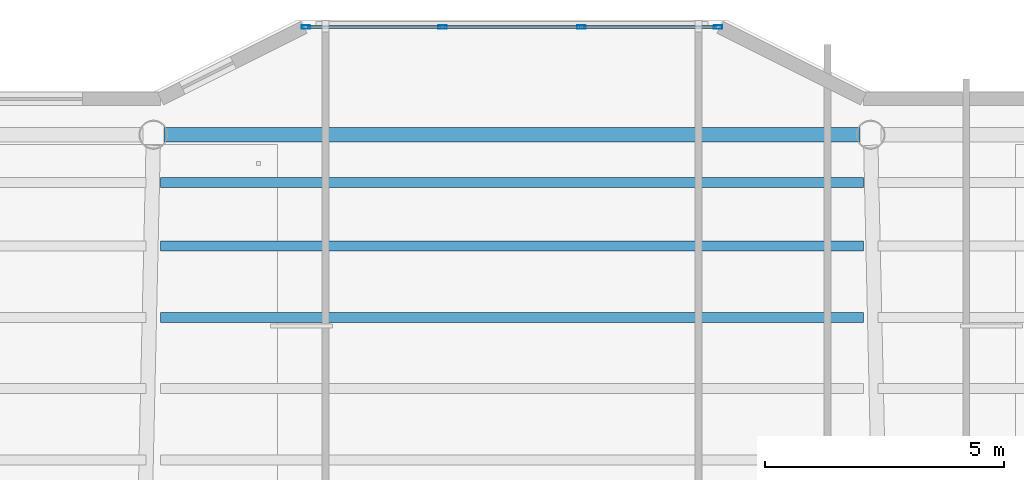
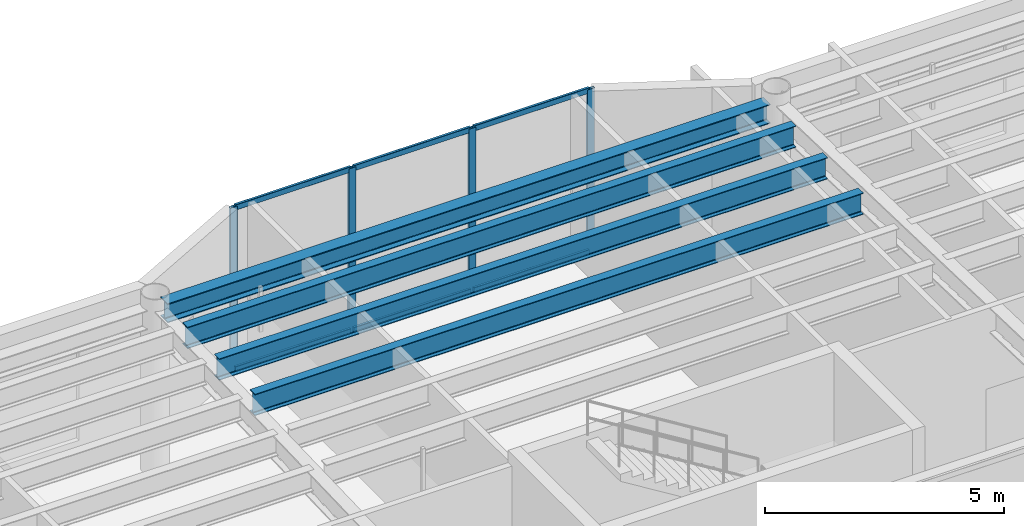
# One storey, part 23 of 37: 10 members, 4 beams, 1 element without a shape of its own.
"""IFC4 building model written with IfcOpenShell, lengths in metres."""

from ifc_helpers import new_model, si_unit, direction, frame, origin, origin_2d, place, context, subcontext, project, spatial, hollow_rectangle, i_section, extrude, material, layer, layer_set, material_profile, profile_set, type_object, element, aggregate, save


model = new_model("IFC4")

# Units and contexts
model_context = context("Model", 3, precision=1e-05, world=origin(), true_north=direction((0.0, 1.0)))
body_context = subcontext(model_context, "Body", "Model", "MODEL_VIEW")
ifc_project = project(units=[si_unit("LENGTHUNIT", "METRE"), si_unit("AREAUNIT", "SQUARE_METRE"), si_unit("VOLUMEUNIT", "CUBIC_METRE"), si_unit("PLANEANGLEUNIT", "RADIAN"), si_unit("MASSUNIT", "GRAM", prefix="KILO")], contexts=[model_context])

# Site, building, storey
site_placement = place(None, origin())
site = spatial("IfcSite", under=ifc_project, at=site_placement, CompositionType="ELEMENT")
building_placement = place(site_placement, origin())
building = spatial("IfcBuilding", under=site, at=building_placement, Name="Tarnavaz Court Tower", CompositionType="ELEMENT")
storey_placement = place(building_placement, frame((0.0, 0.0, 118.5)))
storey = spatial("IfcBuildingStorey", under=building, at=storey_placement, Name="L32", CompositionType="ELEMENT", Elevation=118.5)

# Beams
ifc_material_1 = material(Name="Steel S355", Category="steel")
ifc_material_profile_1 = material_profile(ifc_material_1, i_section(OverallWidth=0.2099609375, OverallDepth=0.550048828125, WebThickness=0.010986328125, FlangeThickness=0.01708984375, FilletRadius=0.02392578125, at=origin_2d()), Name="IPE 550")
ifc_profile_set_1 = profile_set([ifc_material_profile_1], Name="Steel S355")
beam_type_1 = type_object("IfcBeamType", Name="BM-J-IPE550", PredefinedType="JOIST", material=ifc_profile_set_1)
for number, where, z_axis, x_axis, name in (
    (1, (-7.35009765625, 17.48193359375, 3.925048828125), (1.0, 0.0, 0.0), (0.0, 1.0, 0.0), "L32 Beam JN3-2"),
    (2, (-7.35009765625, 18.97607421875, 3.925048828125), (1.0, 0.0, 0.0), (0.0, 1.0, 0.0), "L32 Beam JN4-2"),
    (3, (-7.35009765625, 20.303955078125, 3.925048828125), (1.0, 0.0, 0.0), (0.0, 1.0, 0.0), "L32 Beam JN5-2"),
):
    element("IfcBeam", number, at=place(storey_placement, frame(where, z_axis=z_axis, x_axis=x_axis)), inside=storey, type_object=beam_type_1, Name=name, PredefinedType="JOIST", context=body_context, shape_type="SweptSolid", body=[
        extrude(i_section(OverallWidth=0.2099609375, OverallDepth=0.550048828125, WebThickness=0.010986328125, FlangeThickness=0.01708984375, FilletRadius=0.02392578125, at=origin_2d()), origin(), (0.0, 0.0, 1.0), 14.7001953125),
    ])
ifc_material_profile_2 = material_profile(ifc_material_1, i_section(OverallWidth=0.300048828125, OverallDepth=0.489990234375, WebThickness=0.011962890625, FlangeThickness=0.02294921875, FilletRadius=0.027099609375, at=origin_2d()), Name="HEA 500")
ifc_profile_set_2 = profile_set([ifc_material_profile_2], Name="Steel S355")
beam_type_2 = type_object("IfcBeamType", Name="BM-SP-HEA500", PredefinedType="SPANDREL", material=ifc_profile_set_2)
beam_placement = place(storey_placement, frame((-7.280029296875, 21.300048828125, 3.955078125), z_axis=(1.0, 0.0, 0.0), x_axis=(0.0, 1.0, 0.0)))
element("IfcBeam", 4, at=beam_placement, inside=storey, type_object=beam_type_2, Name="L32 Beam PR-PN-2-PN-3", PredefinedType="SPANDREL", context=body_context, shape_type="SweptSolid", body=[
    extrude(i_section(OverallWidth=0.300048828125, OverallDepth=0.489990234375, WebThickness=0.011962890625, FlangeThickness=0.02294921875, FilletRadius=0.027099609375, at=origin_2d()), origin(), (0.0, 0.0, 1.0), 14.56005859375),
])

# Curtain wall, members
ifc_material_2 = material(Name="Anodised Aluminium 6063-T6 and Solar Low-E Glazing", Category="aluminium")
ifc_layer = layer(ifc_material_2, 0.179931640625)
ifc_layer_set = layer_set([ifc_layer], Name="Anodised Aluminium 6063-T6 and Solar Low-E Glazing")
curtain_wall_type = type_object("IfcCurtainWallType", Name="CW-SYS-02", PredefinedType="NOTDEFINED", material=ifc_layer_set)
curtain_wall_placement = place(storey_placement, origin())
curtain_wall = element("IfcCurtainWall", 5, at=curtain_wall_placement, inside=storey, type_object=curtain_wall_type, Name="L32 Iwan Prow Curtain Wall 7", PredefinedType="NOTDEFINED")
ifc_material_3 = material(Name="Anodised Aluminium 6063-T6", Category="aluminium")
ifc_material_profile_3 = material_profile(ifc_material_3, hollow_rectangle(XDim=0.074951171875, YDim=0.179931640625, WallThickness=0.0048828125, InnerFilletRadius=0.0048828125, OuterFilletRadius=0.010009765625, at=origin_2d()), Name="ALU RHS 180X75X5")
ifc_profile_set_3 = profile_set([ifc_material_profile_3], Name="Anodised Aluminium 6063-T6")
member_type_1 = type_object("IfcMemberType", Name="CW-MUL-180", PredefinedType="MULLION", material=ifc_profile_set_3)
member_1_placement = place(storey_placement, frame((-4.3125, 23.550048828125, 0.0), z_axis=(0.0, 0.0, 1.0), x_axis=(0.0, 1.0, 0.0)))
member_1 = element("IfcMember", 6, at=member_1_placement, type_object=member_type_1, Name="CW mullion 1", PredefinedType="MULLION", context=body_context, shape_type="SweptSolid", body=[
    extrude(hollow_rectangle(XDim=0.074951171875, YDim=0.179931640625, WallThickness=0.0048828125, InnerFilletRadius=0.0048828125, OuterFilletRadius=0.010009765625, at=origin_2d()), origin(), (0.0, 0.0, 1.0), 4.199951171875),
])
member_2_placement = place(storey_placement, frame((-1.449951171875, 23.550048828125, 0.0), z_axis=(0.0, 0.0, 1.0), x_axis=(0.0, 1.0, 0.0)))
member_2 = element("IfcMember", 7, at=member_2_placement, type_object=member_type_1, Name="CW mullion 2", PredefinedType="MULLION", context=body_context, shape_type="SweptSolid", body=[
    extrude(hollow_rectangle(XDim=0.074951171875, YDim=0.179931640625, WallThickness=0.0048828125, InnerFilletRadius=0.0048828125, OuterFilletRadius=0.010009765625, at=origin_2d()), origin(), (0.0, 0.0, 1.0), 4.199951171875),
])
member_3_placement = place(storey_placement, frame((1.449951171875, 23.550048828125, 0.0), z_axis=(0.0, 0.0, 1.0), x_axis=(0.0, 1.0, 0.0)))
member_3 = element("IfcMember", 8, at=member_3_placement, type_object=member_type_1, Name="CW mullion 3", PredefinedType="MULLION", context=body_context, shape_type="SweptSolid", body=[
    extrude(hollow_rectangle(XDim=0.074951171875, YDim=0.179931640625, WallThickness=0.0048828125, InnerFilletRadius=0.0048828125, OuterFilletRadius=0.010009765625, at=origin_2d()), origin(), (0.0, 0.0, 1.0), 4.199951171875),
])
member_4_placement = place(storey_placement, frame((4.3125, 23.550048828125, 0.0), z_axis=(0.0, 0.0, 1.0), x_axis=(0.0, 1.0, 0.0)))
member_4 = element("IfcMember", 9, at=member_4_placement, type_object=member_type_1, Name="CW mullion 4", PredefinedType="MULLION", context=body_context, shape_type="SweptSolid", body=[
    extrude(hollow_rectangle(XDim=0.074951171875, YDim=0.179931640625, WallThickness=0.0048828125, InnerFilletRadius=0.0048828125, OuterFilletRadius=0.010009765625, at=origin_2d()), origin(), (0.0, 0.0, 1.0), 4.199951171875),
])
ifc_material_profile_4 = material_profile(ifc_material_3, hollow_rectangle(XDim=0.06494140625, YDim=0.139892578125, WallThickness=0.00390625, InnerFilletRadius=0.00390625, OuterFilletRadius=0.008056640625, at=origin_2d()), Name="ALU RHS 140X65X4")
ifc_profile_set_4 = profile_set([ifc_material_profile_4], Name="Anodised Aluminium 6063-T6")
member_type_2 = type_object("IfcMemberType", Name="CW-TRN-140", PredefinedType="USERDEFINED", material=ifc_profile_set_4)
member_5_placement = place(storey_placement, frame((-4.27490234375, 23.550048828125, 0.032470703125), z_axis=(1.0, 0.0, 0.0), x_axis=(0.0, 1.0, 0.0)))
member_5 = element("IfcMember", 10, at=member_5_placement, type_object=member_type_2, Name="CW transom 1.1", ObjectType="TRANSOM", PredefinedType="USERDEFINED", context=body_context, shape_type="SweptSolid", body=[
    extrude(hollow_rectangle(XDim=0.06494140625, YDim=0.139892578125, WallThickness=0.00390625, InnerFilletRadius=0.00390625, OuterFilletRadius=0.008056640625, at=origin_2d()), origin(), (0.0, 0.0, 1.0), 2.787353515625),
])
member_6_placement = place(storey_placement, frame((-4.27490234375, 23.550048828125, 4.16748046875), z_axis=(1.0, 0.0, 0.0), x_axis=(0.0, 1.0, 0.0)))
member_6 = element("IfcMember", 11, at=member_6_placement, type_object=member_type_2, Name="CW transom 1.2", ObjectType="TRANSOM", PredefinedType="USERDEFINED", context=body_context, shape_type="SweptSolid", body=[
    extrude(hollow_rectangle(XDim=0.06494140625, YDim=0.139892578125, WallThickness=0.00390625, InnerFilletRadius=0.00390625, OuterFilletRadius=0.008056640625, at=origin_2d()), origin(), (0.0, 0.0, 1.0), 2.787353515625),
])
member_7_placement = place(storey_placement, frame((-1.41259765625, 23.550048828125, 0.032470703125), z_axis=(1.0, 0.0, 0.0), x_axis=(0.0, 1.0, 0.0)))
member_7 = element("IfcMember", 12, at=member_7_placement, type_object=member_type_2, Name="CW transom 2.1", ObjectType="TRANSOM", PredefinedType="USERDEFINED", context=body_context, shape_type="SweptSolid", body=[
    extrude(hollow_rectangle(XDim=0.06494140625, YDim=0.139892578125, WallThickness=0.00390625, InnerFilletRadius=0.00390625, OuterFilletRadius=0.008056640625, at=origin_2d()), origin(), (0.0, 0.0, 1.0), 2.8251953125),
])
member_8_placement = place(storey_placement, frame((-1.41259765625, 23.550048828125, 4.16748046875), z_axis=(1.0, 0.0, 0.0), x_axis=(0.0, 1.0, 0.0)))
member_8 = element("IfcMember", 13, at=member_8_placement, type_object=member_type_2, Name="CW transom 2.2", ObjectType="TRANSOM", PredefinedType="USERDEFINED", context=body_context, shape_type="SweptSolid", body=[
    extrude(hollow_rectangle(XDim=0.06494140625, YDim=0.139892578125, WallThickness=0.00390625, InnerFilletRadius=0.00390625, OuterFilletRadius=0.008056640625, at=origin_2d()), origin(), (0.0, 0.0, 1.0), 2.8251953125),
])
member_9_placement = place(storey_placement, frame((1.487548828125, 23.550048828125, 0.032470703125), z_axis=(1.0, 0.0, 0.0), x_axis=(0.0, 1.0, 0.0)))
member_9 = element("IfcMember", 14, at=member_9_placement, type_object=member_type_2, Name="CW transom 3.1", ObjectType="TRANSOM", PredefinedType="USERDEFINED", context=body_context, shape_type="SweptSolid", body=[
    extrude(hollow_rectangle(XDim=0.06494140625, YDim=0.139892578125, WallThickness=0.00390625, InnerFilletRadius=0.00390625, OuterFilletRadius=0.008056640625, at=origin_2d()), origin(), (0.0, 0.0, 1.0), 2.787353515625),
])
member_10_placement = place(storey_placement, frame((1.487548828125, 23.550048828125, 4.16748046875), z_axis=(1.0, 0.0, 0.0), x_axis=(0.0, 1.0, 0.0)))
member_10 = element("IfcMember", 15, at=member_10_placement, type_object=member_type_2, Name="CW transom 3.2", ObjectType="TRANSOM", PredefinedType="USERDEFINED", context=body_context, shape_type="SweptSolid", body=[
    extrude(hollow_rectangle(XDim=0.06494140625, YDim=0.139892578125, WallThickness=0.00390625, InnerFilletRadius=0.00390625, OuterFilletRadius=0.008056640625, at=origin_2d()), origin(), (0.0, 0.0, 1.0), 2.787353515625),
])
aggregate(curtain_wall, [member_1, member_2, member_3, member_4, member_5, member_6, member_7, member_8, member_9, member_10])

save(model, "model.ifc")
